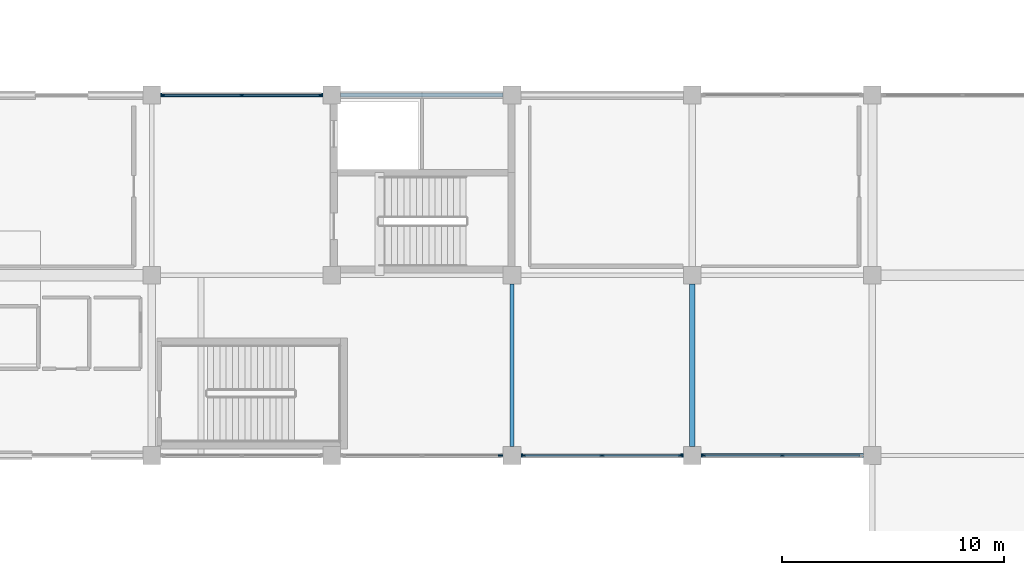
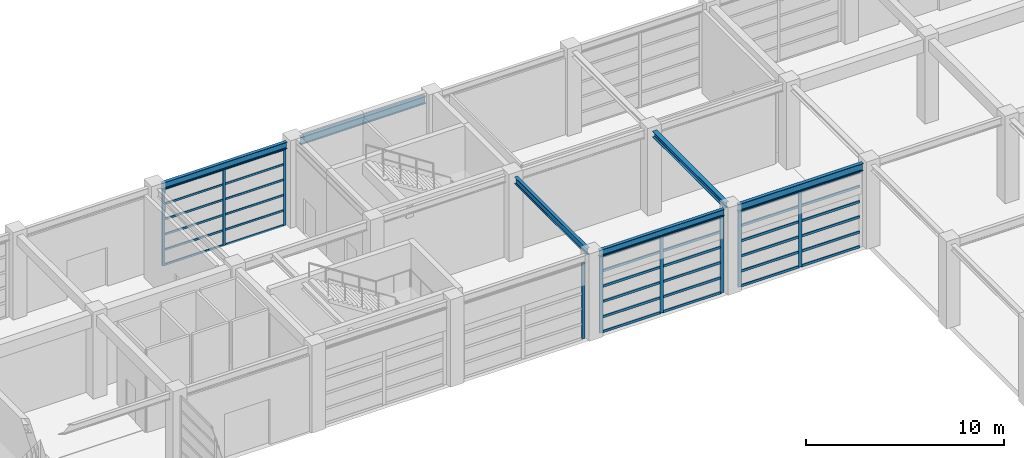
# One storey, part 23 of 52: 45 members, 6 beams, 4 elements without a shape of their own.
"""IFC4 building model written with IfcOpenShell, lengths in metres."""

from ifc_helpers import new_model, si_unit, direction, frame, origin, origin_2d, place, context, subcontext, project, spatial, rectangle, i_section, extrude, material, material_profile, profile_set, type_object, element, aggregate, save


model = new_model("IFC4")

# Units and contexts
model_context = context("Model", 3, precision=1e-05, world=origin(), true_north=direction((0.0, 1.0)))
body_context = subcontext(model_context, "Body", "Model", "MODEL_VIEW")
ifc_project = project(units=[si_unit("LENGTHUNIT", "METRE"), si_unit("AREAUNIT", "SQUARE_METRE"), si_unit("VOLUMEUNIT", "CUBIC_METRE"), si_unit("PLANEANGLEUNIT", "RADIAN"), si_unit("MASSUNIT", "GRAM", prefix="KILO")], contexts=[model_context])

# Site, building, storey
site_placement = place(None, origin())
site = spatial("IfcSite", under=ifc_project, at=site_placement, CompositionType="ELEMENT")
building_placement = place(site_placement, origin())
building = spatial("IfcBuilding", under=site, at=building_placement, Name="Parian Resonance Hall", CompositionType="ELEMENT")
storey_placement = place(building_placement, origin())
storey = spatial("IfcBuildingStorey", under=building, at=storey_placement, Name="L00", CompositionType="ELEMENT", Elevation=0.0)

# Beams
ifc_material_1 = material(Name="Steel S355", Category="steel")
ifc_material_profile_1 = material_profile(ifc_material_1, i_section(OverallWidth=0.2548828125, OverallDepth=0.35693359375, WebThickness=0.010498046875, FlangeThickness=0.018310546875, FilletRadius=0.01513671875, at=origin_2d()), Name="W360x101")
ifc_profile_set_1 = profile_set([ifc_material_profile_1], Name="Steel S355")
beam_type_1 = type_object("IfcBeamType", Name="BM-W360x101", PredefinedType="SPANDREL", material=ifc_profile_set_1)
beam_1_placement = place(storey_placement, frame((105.300048828125, 73.300048828125, 4.971435546875), z_axis=(0.0, 1.0, 0.0), x_axis=(-1.0, 0.0, 0.0)))
element("IfcBeam", 1, at=beam_1_placement, inside=storey, type_object=beam_type_1, Name="GY-L00-0451", PredefinedType="SPANDREL", context=body_context, shape_type="SweptSolid", body=[
    extrude(i_section(OverallWidth=0.2548828125, OverallDepth=0.35693359375, WebThickness=0.010498046875, FlangeThickness=0.018310546875, FilletRadius=0.01513671875, at=origin_2d()), origin(), (0.0, 0.0, 1.0), 7.300048828125),
])
ifc_material_2 = material(Name="Steel S355", Category="steel")
ifc_material_profile_2 = material_profile(ifc_material_2, i_section(OverallWidth=0.180908203125, OverallDepth=0.4169921875, WebThickness=0.010986328125, FlangeThickness=0.018310546875, FilletRadius=0.01513671875, at=origin_2d()), Name="W410x85")
ifc_profile_set_2 = profile_set([ifc_material_profile_2], Name="Steel S355")
beam_type_2 = type_object("IfcBeamType", Name="BM-W410x85", PredefinedType="SPANDREL", material=ifc_profile_set_2)
beam_2_placement = place(storey_placement, frame((81.39990234375, 89.10009765625, 4.94140625), z_axis=(1.0, 0.0, 0.0), x_axis=(0.0, 1.0, 0.0)))
element("IfcBeam", 2, at=beam_2_placement, inside=storey, type_object=beam_type_2, Name="GX-L00-0322", PredefinedType="SPANDREL", context=body_context, shape_type="SweptSolid", body=[
    extrude(i_section(OverallWidth=0.180908203125, OverallDepth=0.4169921875, WebThickness=0.010986328125, FlangeThickness=0.018310546875, FilletRadius=0.01513671875, at=origin_2d()), origin(), (0.0, 0.0, 1.0), 7.300048828125),
])
beam_3_placement = place(storey_placement, frame((97.60009765625, 72.89990234375, 4.94140625), z_axis=(1.0, 0.0, 0.0), x_axis=(0.0, 1.0, 0.0)))
element("IfcBeam", 3, at=beam_3_placement, inside=storey, type_object=beam_type_2, Name="GX-L00-0334", PredefinedType="SPANDREL", context=body_context, shape_type="SweptSolid", body=[
    extrude(i_section(OverallWidth=0.180908203125, OverallDepth=0.4169921875, WebThickness=0.010986328125, FlangeThickness=0.018310546875, FilletRadius=0.01513671875, at=origin_2d()), origin(), (0.0, 0.0, 1.0), 7.2998046875),
])
beam_4_placement = place(storey_placement, frame((97.199951171875, 73.300048828125, 4.94140625), z_axis=(0.0, 1.0, 0.0), x_axis=(-1.0, 0.0, 0.0)))
element("IfcBeam", 4, at=beam_4_placement, inside=storey, type_object=beam_type_2, Name="GY-L00-0446", PredefinedType="SPANDREL", context=body_context, shape_type="SweptSolid", body=[
    extrude(i_section(OverallWidth=0.180908203125, OverallDepth=0.4169921875, WebThickness=0.010986328125, FlangeThickness=0.018310546875, FilletRadius=0.01513671875, at=origin_2d()), origin(), (0.0, 0.0, 1.0), 7.300048828125),
])
ifc_material_3 = material(Name="Steel S355", Category="steel")
ifc_material_profile_3 = material_profile(ifc_material_3, i_section(OverallWidth=0.194091796875, OverallDepth=0.468994140625, WebThickness=0.0126953125, FlangeThickness=0.0205078125, FilletRadius=0.01513671875, at=origin_2d()), Name="W460x106")
ifc_profile_set_3 = profile_set([ifc_material_profile_3], Name="Steel S355")
beam_type_3 = type_object("IfcBeamType", Name="BM-W460x106", PredefinedType="SPANDREL", material=ifc_profile_set_3)
for number, where, z_axis, x_axis, name in (
    (5, (89.5, 89.10009765625, 4.91552734375), (1.0, 0.0, 0.0), (0.0, 1.0, 0.0), "GX-L00-0329"),
    (6, (105.699951171875, 72.89990234375, 4.91552734375), (1.0, 0.0, 0.0), (0.0, 1.0, 0.0), "GX-L00-0341"),
):
    element("IfcBeam", number, at=place(storey_placement, frame(where, z_axis=z_axis, x_axis=x_axis)), inside=storey, type_object=beam_type_3, Name=name, PredefinedType="SPANDREL", context=body_context, shape_type="SweptSolid", body=[
        extrude(i_section(OverallWidth=0.194091796875, OverallDepth=0.468994140625, WebThickness=0.0126953125, FlangeThickness=0.0205078125, FilletRadius=0.01513671875, at=origin_2d()), origin(), (0.0, 0.0, 1.0), 7.300048828125),
    ])

# Curtain wall, members
ifc_material_4 = material(Name="Bronze-anodised aluminium frame", Category="aluminium")
curtain_wall_type_1 = type_object("IfcCurtainWallType", Name="CW-SYS-05", PredefinedType="NOTDEFINED", material=ifc_material_4)
curtain_wall_1_placement = place(storey_placement, origin())
curtain_wall_1 = element("IfcCurtainWall", 7, at=curtain_wall_1_placement, inside=storey, type_object=curtain_wall_type_1, Name="Curtain wall CW-L00-097", PredefinedType="NOTDEFINED")
ifc_material_5 = material(Name="Bronze-anodised aluminium frame", Category="aluminium")
ifc_material_profile_4 = material_profile(ifc_material_5, rectangle(XDim=0.06494140625, YDim=0.159912109375, at=origin_2d()), Name="CWM-65x160")
ifc_profile_set_4 = profile_set([ifc_material_profile_4], Name="Bronze-anodised aluminium frame")
member_type_1 = type_object("IfcMemberType", Name="CWM-65x160", PredefinedType="MULLION", material=ifc_profile_set_4)
member_1_placement = place(storey_placement, frame((81.512451171875, 89.10009765625, -0.008056640625), z_axis=(0.0, 0.0, 1.0), x_axis=(0.0, 1.0, 0.0)))
member_1 = element("IfcMember", 8, at=member_1_placement, type_object=member_type_1, Name="CW-05 mullion 1", PredefinedType="MULLION", context=body_context, shape_type="SweptSolid", body=[
    extrude(rectangle(XDim=0.06494140625, YDim=0.159912109375, at=origin_2d()), origin(), (0.0, 0.0, 1.0), 4.7451171875),
])
member_2_placement = place(storey_placement, frame((85.050048828125, 89.10009765625, -0.008056640625), z_axis=(0.0, 0.0, 1.0), x_axis=(0.0, 1.0, 0.0)))
member_2 = element("IfcMember", 9, at=member_2_placement, type_object=member_type_1, Name="CW-05 mullion 2", PredefinedType="MULLION", context=body_context, shape_type="SweptSolid", body=[
    extrude(rectangle(XDim=0.06494140625, YDim=0.159912109375, at=origin_2d()), origin(), (0.0, 0.0, 1.0), 4.7451171875),
])
member_3_placement = place(storey_placement, frame((88.58740234375, 89.10009765625, -0.008056640625), z_axis=(0.0, 0.0, 1.0), x_axis=(0.0, 1.0, 0.0)))
member_3 = element("IfcMember", 10, at=member_3_placement, type_object=member_type_1, Name="CW-05 mullion 3", PredefinedType="MULLION", context=body_context, shape_type="SweptSolid", body=[
    extrude(rectangle(XDim=0.06494140625, YDim=0.159912109375, at=origin_2d()), origin(), (0.0, 0.0, 1.0), 4.7451171875),
])

# Curtain wall, member
ifc_material_6 = material(Name="Bronze-anodised aluminium frame", Category="aluminium")
curtain_wall_type_2 = type_object("IfcCurtainWallType", Name="CW-SYS-06", PredefinedType="NOTDEFINED", material=ifc_material_6)
curtain_wall_2_placement = place(storey_placement, origin())
curtain_wall_2 = element("IfcCurtainWall", 11, at=curtain_wall_2_placement, inside=storey, type_object=curtain_wall_type_2, Name="Curtain wall CW-L00-116", PredefinedType="NOTDEFINED")
ifc_material_7 = material(Name="Bronze-anodised aluminium frame", Category="aluminium")
ifc_material_profile_5 = material_profile(ifc_material_7, rectangle(XDim=0.074951171875, YDim=0.199951171875, at=origin_2d()), Name="CWM-75x200")
ifc_profile_set_5 = profile_set([ifc_material_profile_5], Name="Bronze-anodised aluminium frame")
member_type_2 = type_object("IfcMemberType", Name="CWM-75x200", PredefinedType="MULLION", material=ifc_profile_set_5)
member_4_placement = place(storey_placement, frame((96.6826171875, 72.89990234375, -0.008056640625), z_axis=(0.0, 0.0, 1.0), x_axis=(0.0, -1.0, 0.0)))
member_4 = element("IfcMember", 12, at=member_4_placement, type_object=member_type_2, Name="CW-06 mullion 1", PredefinedType="MULLION", context=body_context, shape_type="SweptSolid", body=[
    extrude(rectangle(XDim=0.074951171875, YDim=0.199951171875, at=origin_2d()), origin(), (0.0, 0.0, 1.0), 4.693115234375),
])
aggregate(curtain_wall_2, [member_4])

# Curtain wall, members
ifc_material_8 = material(Name="Bronze-anodised aluminium frame", Category="aluminium")
curtain_wall_type_3 = type_object("IfcCurtainWallType", Name="CW-SYS-01", PredefinedType="NOTDEFINED", material=ifc_material_8)
curtain_wall_3_placement = place(storey_placement, origin())
curtain_wall_3 = element("IfcCurtainWall", 13, at=curtain_wall_3_placement, inside=storey, type_object=curtain_wall_type_3, Name="Curtain wall CW-L00-122", PredefinedType="NOTDEFINED")
member_5_placement = place(storey_placement, frame((104.782470703125, 72.89990234375, -0.008056640625), z_axis=(0.0, 0.0, 1.0), x_axis=(0.0, -1.0, 0.0)))
member_5 = element("IfcMember", 14, at=member_5_placement, type_object=member_type_2, Name="CW-01 mullion 1", PredefinedType="MULLION", context=body_context, shape_type="SweptSolid", body=[
    extrude(rectangle(XDim=0.074951171875, YDim=0.199951171875, at=origin_2d()), origin(), (0.0, 0.0, 1.0), 4.7451171875),
])
member_6_placement = place(storey_placement, frame((101.25, 72.89990234375, -0.008056640625), z_axis=(0.0, 0.0, 1.0), x_axis=(0.0, -1.0, 0.0)))
member_6 = element("IfcMember", 15, at=member_6_placement, type_object=member_type_2, Name="CW-01 mullion 2", PredefinedType="MULLION", context=body_context, shape_type="SweptSolid", body=[
    extrude(rectangle(XDim=0.074951171875, YDim=0.199951171875, at=origin_2d()), origin(), (0.0, 0.0, 1.0), 4.7451171875),
])
member_7_placement = place(storey_placement, frame((97.717529296875, 72.89990234375, -0.008056640625), z_axis=(0.0, 0.0, 1.0), x_axis=(0.0, -1.0, 0.0)))
member_7 = element("IfcMember", 16, at=member_7_placement, type_object=member_type_2, Name="CW-01 mullion 3", PredefinedType="MULLION", context=body_context, shape_type="SweptSolid", body=[
    extrude(rectangle(XDim=0.074951171875, YDim=0.199951171875, at=origin_2d()), origin(), (0.0, 0.0, 1.0), 4.7451171875),
])

ifc_material_9 = material(Name="Bronze-anodised aluminium frame", Category="aluminium")
curtain_wall_type_4 = type_object("IfcCurtainWallType", Name="CW-SYS-02", PredefinedType="NOTDEFINED", material=ifc_material_9)
curtain_wall_4_placement = place(storey_placement, origin())
curtain_wall_4 = element("IfcCurtainWall", 17, at=curtain_wall_4_placement, inside=storey, type_object=curtain_wall_type_4, Name="Curtain wall CW-L00-126", PredefinedType="NOTDEFINED")
member_8_placement = place(storey_placement, frame((109.35009765625, 72.89990234375, -0.008056640625), z_axis=(0.0, 0.0, 1.0), x_axis=(0.0, -1.0, 0.0)))
member_8 = element("IfcMember", 18, at=member_8_placement, type_object=member_type_2, Name="CW-02 mullion 2", PredefinedType="MULLION", context=body_context, shape_type="SweptSolid", body=[
    extrude(rectangle(XDim=0.074951171875, YDim=0.199951171875, at=origin_2d()), origin(), (0.0, 0.0, 1.0), 4.693115234375),
])
member_9_placement = place(storey_placement, frame((105.8173828125, 72.89990234375, -0.008056640625), z_axis=(0.0, 0.0, 1.0), x_axis=(0.0, -1.0, 0.0)))
member_9 = element("IfcMember", 19, at=member_9_placement, type_object=member_type_2, Name="CW-02 mullion 3", PredefinedType="MULLION", context=body_context, shape_type="SweptSolid", body=[
    extrude(rectangle(XDim=0.074951171875, YDim=0.199951171875, at=origin_2d()), origin(), (0.0, 0.0, 1.0), 4.693115234375),
])

# Member
ifc_material_10 = material(Name="Bronze-anodised aluminium frame", Category="aluminium")
ifc_material_profile_6 = material_profile(ifc_material_10, rectangle(XDim=0.06494140625, YDim=0.1201171875, at=origin_2d()), Name="CWT-65x120")
ifc_profile_set_6 = profile_set([ifc_material_profile_6], Name="Bronze-anodised aluminium frame")
member_type_3 = type_object("IfcMemberType", Name="CWT-65x120", PredefinedType="USERDEFINED", material=ifc_profile_set_6)
member_10_placement = place(storey_placement, frame((81.544921875, 89.10009765625, 0.0244140625), z_axis=(1.0, 0.0, 0.0), x_axis=(0.0, 1.0, 0.0)))
member_10 = element("IfcMember", 20, at=member_10_placement, type_object=member_type_3, Name="CW-05 transom 1.1", ObjectType="TRANSOM", PredefinedType="USERDEFINED", context=body_context, shape_type="SweptSolid", body=[
    extrude(rectangle(XDim=0.06494140625, YDim=0.1201171875, at=origin_2d()), origin(), (0.0, 0.0, 1.0), 3.47265625),
])

member_11_placement = place(storey_placement, frame((81.544921875, 89.10009765625, 0.9453125), z_axis=(1.0, 0.0, 0.0), x_axis=(0.0, 1.0, 0.0)))
member_11 = element("IfcMember", 21, at=member_11_placement, type_object=member_type_3, Name="CW-05 transom 1.2", ObjectType="TRANSOM", PredefinedType="USERDEFINED", context=body_context, shape_type="SweptSolid", body=[
    extrude(rectangle(XDim=0.06494140625, YDim=0.1201171875, at=origin_2d()), origin(), (0.0, 0.0, 1.0), 3.47265625),
])

member_12_placement = place(storey_placement, frame((81.544921875, 89.10009765625, 1.890869140625), z_axis=(1.0, 0.0, 0.0), x_axis=(0.0, 1.0, 0.0)))
member_12 = element("IfcMember", 22, at=member_12_placement, type_object=member_type_3, Name="CW-05 transom 1.3", ObjectType="TRANSOM", PredefinedType="USERDEFINED", context=body_context, shape_type="SweptSolid", body=[
    extrude(rectangle(XDim=0.06494140625, YDim=0.1201171875, at=origin_2d()), origin(), (0.0, 0.0, 1.0), 3.47265625),
])

member_13_placement = place(storey_placement, frame((81.544921875, 89.10009765625, 2.836181640625), z_axis=(1.0, 0.0, 0.0), x_axis=(0.0, 1.0, 0.0)))
member_13 = element("IfcMember", 23, at=member_13_placement, type_object=member_type_3, Name="CW-05 transom 1.4", ObjectType="TRANSOM", PredefinedType="USERDEFINED", context=body_context, shape_type="SweptSolid", body=[
    extrude(rectangle(XDim=0.06494140625, YDim=0.1201171875, at=origin_2d()), origin(), (0.0, 0.0, 1.0), 3.47265625),
])

member_14_placement = place(storey_placement, frame((81.544921875, 89.10009765625, 3.781494140625), z_axis=(1.0, 0.0, 0.0), x_axis=(0.0, 1.0, 0.0)))
member_14 = element("IfcMember", 24, at=member_14_placement, type_object=member_type_3, Name="CW-05 transom 1.5", ObjectType="TRANSOM", PredefinedType="USERDEFINED", context=body_context, shape_type="SweptSolid", body=[
    extrude(rectangle(XDim=0.06494140625, YDim=0.1201171875, at=origin_2d()), origin(), (0.0, 0.0, 1.0), 3.47265625),
])

member_15_placement = place(storey_placement, frame((81.544921875, 89.10009765625, 4.70458984375), z_axis=(1.0, 0.0, 0.0), x_axis=(0.0, 1.0, 0.0)))
member_15 = element("IfcMember", 25, at=member_15_placement, type_object=member_type_3, Name="CW-05 transom 1.6", ObjectType="TRANSOM", PredefinedType="USERDEFINED", context=body_context, shape_type="SweptSolid", body=[
    extrude(rectangle(XDim=0.06494140625, YDim=0.1201171875, at=origin_2d()), origin(), (0.0, 0.0, 1.0), 3.47265625),
])

member_16_placement = place(storey_placement, frame((85.08251953125, 89.10009765625, 0.0244140625), z_axis=(1.0, 0.0, 0.0), x_axis=(0.0, 1.0, 0.0)))
member_16 = element("IfcMember", 26, at=member_16_placement, type_object=member_type_3, Name="CW-05 transom 2.1", ObjectType="TRANSOM", PredefinedType="USERDEFINED", context=body_context, shape_type="SweptSolid", body=[
    extrude(rectangle(XDim=0.06494140625, YDim=0.1201171875, at=origin_2d()), origin(), (0.0, 0.0, 1.0), 3.472412109375),
])

member_17_placement = place(storey_placement, frame((85.08251953125, 89.10009765625, 0.9453125), z_axis=(1.0, 0.0, 0.0), x_axis=(0.0, 1.0, 0.0)))
member_17 = element("IfcMember", 27, at=member_17_placement, type_object=member_type_3, Name="CW-05 transom 2.2", ObjectType="TRANSOM", PredefinedType="USERDEFINED", context=body_context, shape_type="SweptSolid", body=[
    extrude(rectangle(XDim=0.06494140625, YDim=0.1201171875, at=origin_2d()), origin(), (0.0, 0.0, 1.0), 3.472412109375),
])

member_18_placement = place(storey_placement, frame((85.08251953125, 89.10009765625, 1.890869140625), z_axis=(1.0, 0.0, 0.0), x_axis=(0.0, 1.0, 0.0)))
member_18 = element("IfcMember", 28, at=member_18_placement, type_object=member_type_3, Name="CW-05 transom 2.3", ObjectType="TRANSOM", PredefinedType="USERDEFINED", context=body_context, shape_type="SweptSolid", body=[
    extrude(rectangle(XDim=0.06494140625, YDim=0.1201171875, at=origin_2d()), origin(), (0.0, 0.0, 1.0), 3.472412109375),
])

member_19_placement = place(storey_placement, frame((85.08251953125, 89.10009765625, 2.836181640625), z_axis=(1.0, 0.0, 0.0), x_axis=(0.0, 1.0, 0.0)))
member_19 = element("IfcMember", 29, at=member_19_placement, type_object=member_type_3, Name="CW-05 transom 2.4", ObjectType="TRANSOM", PredefinedType="USERDEFINED", context=body_context, shape_type="SweptSolid", body=[
    extrude(rectangle(XDim=0.06494140625, YDim=0.1201171875, at=origin_2d()), origin(), (0.0, 0.0, 1.0), 3.472412109375),
])

member_20_placement = place(storey_placement, frame((85.08251953125, 89.10009765625, 3.781494140625), z_axis=(1.0, 0.0, 0.0), x_axis=(0.0, 1.0, 0.0)))
member_20 = element("IfcMember", 30, at=member_20_placement, type_object=member_type_3, Name="CW-05 transom 2.5", ObjectType="TRANSOM", PredefinedType="USERDEFINED", context=body_context, shape_type="SweptSolid", body=[
    extrude(rectangle(XDim=0.06494140625, YDim=0.1201171875, at=origin_2d()), origin(), (0.0, 0.0, 1.0), 3.472412109375),
])

member_21_placement = place(storey_placement, frame((85.08251953125, 89.10009765625, 4.70458984375), z_axis=(1.0, 0.0, 0.0), x_axis=(0.0, 1.0, 0.0)))
member_21 = element("IfcMember", 31, at=member_21_placement, type_object=member_type_3, Name="CW-05 transom 2.6", ObjectType="TRANSOM", PredefinedType="USERDEFINED", context=body_context, shape_type="SweptSolid", body=[
    extrude(rectangle(XDim=0.06494140625, YDim=0.1201171875, at=origin_2d()), origin(), (0.0, 0.0, 1.0), 3.472412109375),
])

aggregate(curtain_wall_1, [member_1, member_2, member_3, member_10, member_11, member_12, member_13, member_14, member_15, member_16, member_17, member_18, member_19, member_20, member_21])

ifc_material_11 = material(Name="Bronze-anodised aluminium frame", Category="aluminium")
ifc_material_profile_7 = material_profile(ifc_material_11, rectangle(XDim=0.074951171875, YDim=0.14990234375, at=origin_2d()), Name="CWT-75x150")
ifc_profile_set_7 = profile_set([ifc_material_profile_7], Name="Bronze-anodised aluminium frame")
member_type_4 = type_object("IfcMemberType", Name="CWT-75x150", PredefinedType="USERDEFINED", material=ifc_profile_set_7)
member_22_placement = place(storey_placement, frame((104.7451171875, 72.89990234375, 0.029541015625), z_axis=(-1.0, 0.0, 0.0), x_axis=(0.0, -1.0, 0.0)))
member_22 = element("IfcMember", 32, at=member_22_placement, type_object=member_type_4, Name="CW-01 transom 1.1", ObjectType="TRANSOM", PredefinedType="USERDEFINED", context=body_context, shape_type="SweptSolid", body=[
    extrude(rectangle(XDim=0.074951171875, YDim=0.14990234375, at=origin_2d()), origin(), (0.0, 0.0, 1.0), 3.45751953125),
])

member_23_placement = place(storey_placement, frame((104.7451171875, 72.89990234375, 0.9453125), z_axis=(-1.0, 0.0, 0.0), x_axis=(0.0, -1.0, 0.0)))
member_23 = element("IfcMember", 33, at=member_23_placement, type_object=member_type_4, Name="CW-01 transom 1.2", ObjectType="TRANSOM", PredefinedType="USERDEFINED", context=body_context, shape_type="SweptSolid", body=[
    extrude(rectangle(XDim=0.074951171875, YDim=0.14990234375, at=origin_2d()), origin(), (0.0, 0.0, 1.0), 3.45751953125),
])

member_24_placement = place(storey_placement, frame((104.7451171875, 72.89990234375, 1.890869140625), z_axis=(-1.0, 0.0, 0.0), x_axis=(0.0, -1.0, 0.0)))
member_24 = element("IfcMember", 34, at=member_24_placement, type_object=member_type_4, Name="CW-01 transom 1.3", ObjectType="TRANSOM", PredefinedType="USERDEFINED", context=body_context, shape_type="SweptSolid", body=[
    extrude(rectangle(XDim=0.074951171875, YDim=0.14990234375, at=origin_2d()), origin(), (0.0, 0.0, 1.0), 3.45751953125),
])

member_25_placement = place(storey_placement, frame((104.7451171875, 72.89990234375, 2.836181640625), z_axis=(-1.0, 0.0, 0.0), x_axis=(0.0, -1.0, 0.0)))
member_25 = element("IfcMember", 35, at=member_25_placement, type_object=member_type_4, Name="CW-01 transom 1.4", ObjectType="TRANSOM", PredefinedType="USERDEFINED", context=body_context, shape_type="SweptSolid", body=[
    extrude(rectangle(XDim=0.074951171875, YDim=0.14990234375, at=origin_2d()), origin(), (0.0, 0.0, 1.0), 3.45751953125),
])

member_26_placement = place(storey_placement, frame((104.7451171875, 72.89990234375, 3.781494140625), z_axis=(-1.0, 0.0, 0.0), x_axis=(0.0, -1.0, 0.0)))
member_26 = element("IfcMember", 36, at=member_26_placement, type_object=member_type_4, Name="CW-01 transom 1.5", ObjectType="TRANSOM", PredefinedType="USERDEFINED", context=body_context, shape_type="SweptSolid", body=[
    extrude(rectangle(XDim=0.074951171875, YDim=0.14990234375, at=origin_2d()), origin(), (0.0, 0.0, 1.0), 3.45751953125),
])

member_27_placement = place(storey_placement, frame((104.7451171875, 72.89990234375, 4.699462890625), z_axis=(-1.0, 0.0, 0.0), x_axis=(0.0, -1.0, 0.0)))
member_27 = element("IfcMember", 37, at=member_27_placement, type_object=member_type_4, Name="CW-01 transom 1.6", ObjectType="TRANSOM", PredefinedType="USERDEFINED", context=body_context, shape_type="SweptSolid", body=[
    extrude(rectangle(XDim=0.074951171875, YDim=0.14990234375, at=origin_2d()), origin(), (0.0, 0.0, 1.0), 3.45751953125),
])

member_28_placement = place(storey_placement, frame((101.21240234375, 72.89990234375, 0.029541015625), z_axis=(-1.0, 0.0, 0.0), x_axis=(0.0, -1.0, 0.0)))
member_28 = element("IfcMember", 38, at=member_28_placement, type_object=member_type_4, Name="CW-01 transom 2.1", ObjectType="TRANSOM", PredefinedType="USERDEFINED", context=body_context, shape_type="SweptSolid", body=[
    extrude(rectangle(XDim=0.074951171875, YDim=0.14990234375, at=origin_2d()), origin(), (0.0, 0.0, 1.0), 3.45751953125),
])

member_29_placement = place(storey_placement, frame((101.21240234375, 72.89990234375, 0.9453125), z_axis=(-1.0, 0.0, 0.0), x_axis=(0.0, -1.0, 0.0)))
member_29 = element("IfcMember", 39, at=member_29_placement, type_object=member_type_4, Name="CW-01 transom 2.2", ObjectType="TRANSOM", PredefinedType="USERDEFINED", context=body_context, shape_type="SweptSolid", body=[
    extrude(rectangle(XDim=0.074951171875, YDim=0.14990234375, at=origin_2d()), origin(), (0.0, 0.0, 1.0), 3.45751953125),
])

member_30_placement = place(storey_placement, frame((101.21240234375, 72.89990234375, 1.890869140625), z_axis=(-1.0, 0.0, 0.0), x_axis=(0.0, -1.0, 0.0)))
member_30 = element("IfcMember", 40, at=member_30_placement, type_object=member_type_4, Name="CW-01 transom 2.3", ObjectType="TRANSOM", PredefinedType="USERDEFINED", context=body_context, shape_type="SweptSolid", body=[
    extrude(rectangle(XDim=0.074951171875, YDim=0.14990234375, at=origin_2d()), origin(), (0.0, 0.0, 1.0), 3.45751953125),
])

member_31_placement = place(storey_placement, frame((101.21240234375, 72.89990234375, 2.836181640625), z_axis=(-1.0, 0.0, 0.0), x_axis=(0.0, -1.0, 0.0)))
member_31 = element("IfcMember", 41, at=member_31_placement, type_object=member_type_4, Name="CW-01 transom 2.4", ObjectType="TRANSOM", PredefinedType="USERDEFINED", context=body_context, shape_type="SweptSolid", body=[
    extrude(rectangle(XDim=0.074951171875, YDim=0.14990234375, at=origin_2d()), origin(), (0.0, 0.0, 1.0), 3.45751953125),
])

member_32_placement = place(storey_placement, frame((101.21240234375, 72.89990234375, 3.781494140625), z_axis=(-1.0, 0.0, 0.0), x_axis=(0.0, -1.0, 0.0)))
member_32 = element("IfcMember", 42, at=member_32_placement, type_object=member_type_4, Name="CW-01 transom 2.5", ObjectType="TRANSOM", PredefinedType="USERDEFINED", context=body_context, shape_type="SweptSolid", body=[
    extrude(rectangle(XDim=0.074951171875, YDim=0.14990234375, at=origin_2d()), origin(), (0.0, 0.0, 1.0), 3.45751953125),
])

member_33_placement = place(storey_placement, frame((101.21240234375, 72.89990234375, 4.699462890625), z_axis=(-1.0, 0.0, 0.0), x_axis=(0.0, -1.0, 0.0)))
member_33 = element("IfcMember", 43, at=member_33_placement, type_object=member_type_4, Name="CW-01 transom 2.6", ObjectType="TRANSOM", PredefinedType="USERDEFINED", context=body_context, shape_type="SweptSolid", body=[
    extrude(rectangle(XDim=0.074951171875, YDim=0.14990234375, at=origin_2d()), origin(), (0.0, 0.0, 1.0), 3.45751953125),
])

aggregate(curtain_wall_3, [member_5, member_6, member_7, member_22, member_23, member_24, member_25, member_26, member_27, member_28, member_29, member_30, member_31, member_32, member_33])

member_34_placement = place(storey_placement, frame((112.844970703125, 72.89990234375, 0.029541015625), z_axis=(-1.0, 0.0, 0.0), x_axis=(0.0, -1.0, 0.0)))
member_34 = element("IfcMember", 44, at=member_34_placement, type_object=member_type_4, Name="CW-02 transom 1.1", ObjectType="TRANSOM", PredefinedType="USERDEFINED", context=body_context, shape_type="SweptSolid", body=[
    extrude(rectangle(XDim=0.074951171875, YDim=0.14990234375, at=origin_2d()), origin(), (0.0, 0.0, 1.0), 3.45751953125),
])

member_35_placement = place(storey_placement, frame((112.844970703125, 72.89990234375, 0.93505859375), z_axis=(-1.0, 0.0, 0.0), x_axis=(0.0, -1.0, 0.0)))
member_35 = element("IfcMember", 45, at=member_35_placement, type_object=member_type_4, Name="CW-02 transom 1.2", ObjectType="TRANSOM", PredefinedType="USERDEFINED", context=body_context, shape_type="SweptSolid", body=[
    extrude(rectangle(XDim=0.074951171875, YDim=0.14990234375, at=origin_2d()), origin(), (0.0, 0.0, 1.0), 3.45751953125),
])

member_36_placement = place(storey_placement, frame((112.844970703125, 72.89990234375, 1.8701171875), z_axis=(-1.0, 0.0, 0.0), x_axis=(0.0, -1.0, 0.0)))
member_36 = element("IfcMember", 46, at=member_36_placement, type_object=member_type_4, Name="CW-02 transom 1.3", ObjectType="TRANSOM", PredefinedType="USERDEFINED", context=body_context, shape_type="SweptSolid", body=[
    extrude(rectangle(XDim=0.074951171875, YDim=0.14990234375, at=origin_2d()), origin(), (0.0, 0.0, 1.0), 3.45751953125),
])

member_37_placement = place(storey_placement, frame((112.844970703125, 72.89990234375, 2.804931640625), z_axis=(-1.0, 0.0, 0.0), x_axis=(0.0, -1.0, 0.0)))
member_37 = element("IfcMember", 47, at=member_37_placement, type_object=member_type_4, Name="CW-02 transom 1.4", ObjectType="TRANSOM", PredefinedType="USERDEFINED", context=body_context, shape_type="SweptSolid", body=[
    extrude(rectangle(XDim=0.074951171875, YDim=0.14990234375, at=origin_2d()), origin(), (0.0, 0.0, 1.0), 3.45751953125),
])

member_38_placement = place(storey_placement, frame((112.844970703125, 72.89990234375, 3.739990234375), z_axis=(-1.0, 0.0, 0.0), x_axis=(0.0, -1.0, 0.0)))
member_38 = element("IfcMember", 48, at=member_38_placement, type_object=member_type_4, Name="CW-02 transom 1.5", ObjectType="TRANSOM", PredefinedType="USERDEFINED", context=body_context, shape_type="SweptSolid", body=[
    extrude(rectangle(XDim=0.074951171875, YDim=0.14990234375, at=origin_2d()), origin(), (0.0, 0.0, 1.0), 3.45751953125),
])

member_39_placement = place(storey_placement, frame((112.844970703125, 72.89990234375, 4.6474609375), z_axis=(-1.0, 0.0, 0.0), x_axis=(0.0, -1.0, 0.0)))
member_39 = element("IfcMember", 49, at=member_39_placement, type_object=member_type_4, Name="CW-02 transom 1.6", ObjectType="TRANSOM", PredefinedType="USERDEFINED", context=body_context, shape_type="SweptSolid", body=[
    extrude(rectangle(XDim=0.074951171875, YDim=0.14990234375, at=origin_2d()), origin(), (0.0, 0.0, 1.0), 3.45751953125),
])

member_40_placement = place(storey_placement, frame((109.3125, 72.89990234375, 0.029541015625), z_axis=(-1.0, 0.0, 0.0), x_axis=(0.0, -1.0, 0.0)))
member_40 = element("IfcMember", 50, at=member_40_placement, type_object=member_type_4, Name="CW-02 transom 2.1", ObjectType="TRANSOM", PredefinedType="USERDEFINED", context=body_context, shape_type="SweptSolid", body=[
    extrude(rectangle(XDim=0.074951171875, YDim=0.14990234375, at=origin_2d()), origin(), (0.0, 0.0, 1.0), 3.45751953125),
])

member_41_placement = place(storey_placement, frame((109.3125, 72.89990234375, 0.93505859375), z_axis=(-1.0, 0.0, 0.0), x_axis=(0.0, -1.0, 0.0)))
member_41 = element("IfcMember", 51, at=member_41_placement, type_object=member_type_4, Name="CW-02 transom 2.2", ObjectType="TRANSOM", PredefinedType="USERDEFINED", context=body_context, shape_type="SweptSolid", body=[
    extrude(rectangle(XDim=0.074951171875, YDim=0.14990234375, at=origin_2d()), origin(), (0.0, 0.0, 1.0), 3.45751953125),
])

member_42_placement = place(storey_placement, frame((109.3125, 72.89990234375, 1.8701171875), z_axis=(-1.0, 0.0, 0.0), x_axis=(0.0, -1.0, 0.0)))
member_42 = element("IfcMember", 52, at=member_42_placement, type_object=member_type_4, Name="CW-02 transom 2.3", ObjectType="TRANSOM", PredefinedType="USERDEFINED", context=body_context, shape_type="SweptSolid", body=[
    extrude(rectangle(XDim=0.074951171875, YDim=0.14990234375, at=origin_2d()), origin(), (0.0, 0.0, 1.0), 3.45751953125),
])

member_43_placement = place(storey_placement, frame((109.3125, 72.89990234375, 2.804931640625), z_axis=(-1.0, 0.0, 0.0), x_axis=(0.0, -1.0, 0.0)))
member_43 = element("IfcMember", 53, at=member_43_placement, type_object=member_type_4, Name="CW-02 transom 2.4", ObjectType="TRANSOM", PredefinedType="USERDEFINED", context=body_context, shape_type="SweptSolid", body=[
    extrude(rectangle(XDim=0.074951171875, YDim=0.14990234375, at=origin_2d()), origin(), (0.0, 0.0, 1.0), 3.45751953125),
])

member_44_placement = place(storey_placement, frame((109.3125, 72.89990234375, 3.739990234375), z_axis=(-1.0, 0.0, 0.0), x_axis=(0.0, -1.0, 0.0)))
member_44 = element("IfcMember", 54, at=member_44_placement, type_object=member_type_4, Name="CW-02 transom 2.5", ObjectType="TRANSOM", PredefinedType="USERDEFINED", context=body_context, shape_type="SweptSolid", body=[
    extrude(rectangle(XDim=0.074951171875, YDim=0.14990234375, at=origin_2d()), origin(), (0.0, 0.0, 1.0), 3.45751953125),
])

member_45_placement = place(storey_placement, frame((109.3125, 72.89990234375, 4.6474609375), z_axis=(-1.0, 0.0, 0.0), x_axis=(0.0, -1.0, 0.0)))
member_45 = element("IfcMember", 55, at=member_45_placement, type_object=member_type_4, Name="CW-02 transom 2.6", ObjectType="TRANSOM", PredefinedType="USERDEFINED", context=body_context, shape_type="SweptSolid", body=[
    extrude(rectangle(XDim=0.074951171875, YDim=0.14990234375, at=origin_2d()), origin(), (0.0, 0.0, 1.0), 3.45751953125),
])

aggregate(curtain_wall_4, [member_8, member_9, member_34, member_35, member_36, member_37, member_38, member_39, member_40, member_41, member_42, member_43, member_44, member_45])

save(model, "model.ifc")
